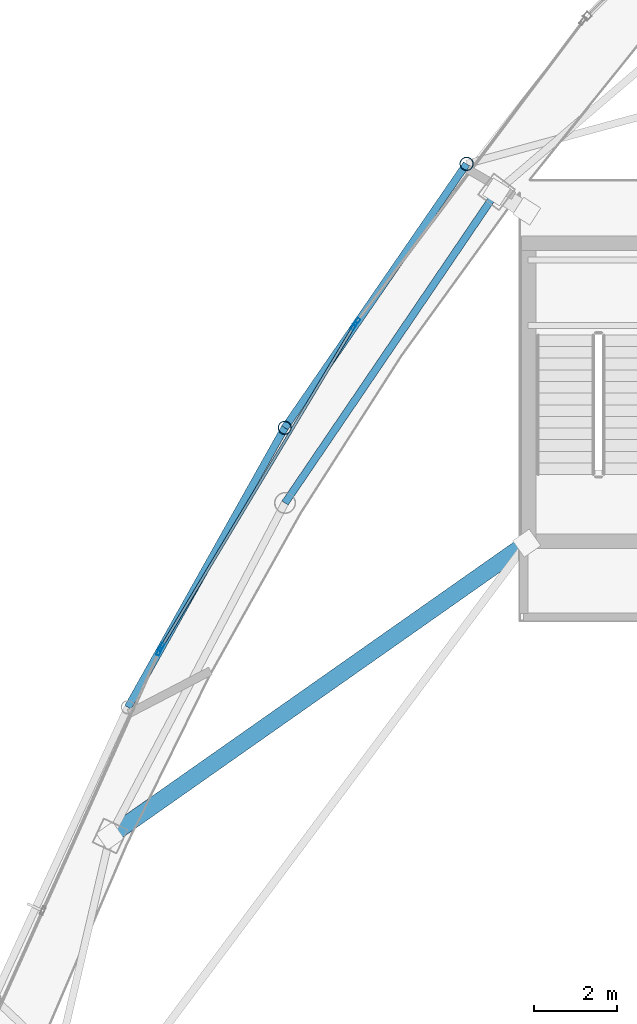
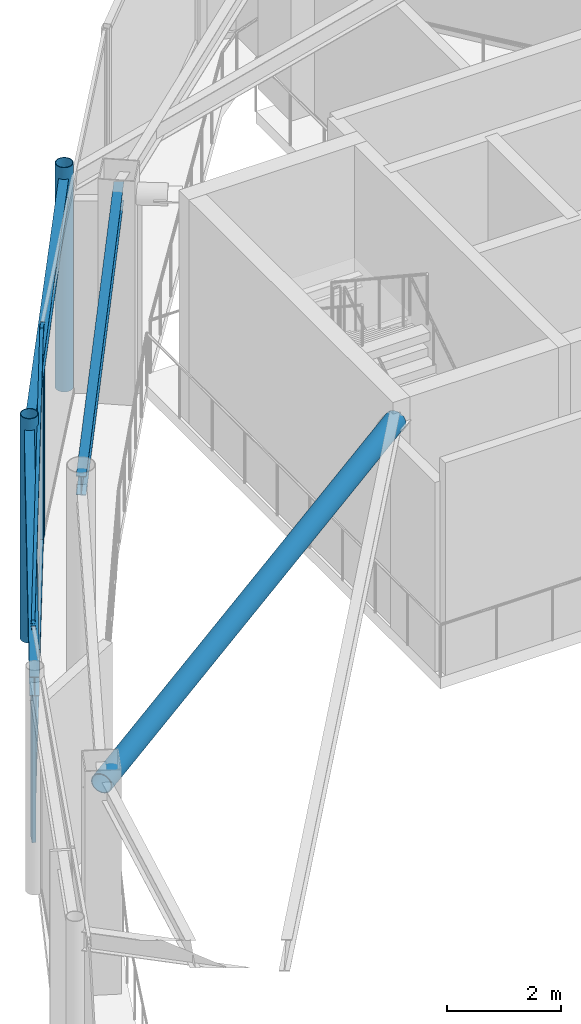
# One storey, part 8 of 20: 9 members, 3 beams, 3 elements without a shape of their own.
"""IFC4 building model written with IfcOpenShell, lengths in metres."""

from ifc_helpers import new_model, si_unit, direction, frame, origin, origin_2d, place, context, subcontext, project, spatial, hollow_rectangle, hollow_circle, i_section, extrude, material, layer, layer_set, material_profile, profile_set, type_object, element, aggregate, save


model = new_model("IFC4")

# Units and contexts
model_context = context("Model", 3, precision=1e-05, world=origin(), true_north=direction((0.0, 1.0)))
body_context = subcontext(model_context, "Body", "Model", "MODEL_VIEW")
ifc_project = project(units=[si_unit("LENGTHUNIT", "METRE"), si_unit("AREAUNIT", "SQUARE_METRE"), si_unit("VOLUMEUNIT", "CUBIC_METRE"), si_unit("PLANEANGLEUNIT", "RADIAN"), si_unit("MASSUNIT", "GRAM", prefix="KILO")], contexts=[model_context])

# Site, building, storey
site_placement = place(None, origin())
site = spatial("IfcSite", under=ifc_project, at=site_placement, CompositionType="ELEMENT")
building_placement = place(site_placement, origin())
building = spatial("IfcBuilding", under=site, at=building_placement, Name="Orvanel Arch Residences", CompositionType="ELEMENT")
storey_placement = place(building_placement, frame((0.0, 0.0, 305.300048828125)))
storey = spatial("IfcBuildingStorey", under=building, at=storey_placement, Name="L85", CompositionType="ELEMENT", Elevation=305.300048828125)

# Curtain wall, member
ifc_material_1 = material(Name="Bronze-anodised aluminium AA6063-T6", Category="aluminium")
ifc_layer = layer(ifc_material_1, 0.2099609375)
ifc_layer_set = layer_set([ifc_layer], Name="Bronze-anodised aluminium AA6063-T6")
curtain_wall_type = type_object("IfcCurtainWallType", Name="CW7-TOP-SYS", PredefinedType="NOTDEFINED", material=ifc_layer_set)
curtain_wall_1_placement = place(storey_placement, origin())
curtain_wall_1 = element("IfcCurtainWall", 1, at=curtain_wall_1_placement, inside=storey, type_object=curtain_wall_type, Name="L85 CW7-TOP-SYS Unitised Curtain Wall", PredefinedType="NOTDEFINED")
ifc_material_profile_1 = material_profile(ifc_material_1, hollow_rectangle(XDim=0.074951171875, YDim=0.199951171875, WallThickness=0.0048828125, at=origin_2d()), Name="ALU200x75x5")
ifc_profile_set_1 = profile_set([ifc_material_profile_1], Name="Bronze-anodised aluminium AA6063-T6")
member_type_1 = type_object("IfcMemberType", Name="MUL-200x75", PredefinedType="MULLION", material=ifc_profile_set_1)
member_1_placement = place(storey_placement, frame((22.29052734375, 31.988037109375, 0.0), z_axis=(0.0, 0.0, 1.0), x_axis=(0.799341985759, -0.600876351509, 0.0)))
member_1 = element("IfcMember", 2, at=member_1_placement, type_object=member_type_1, Name="CW-S7 mullion 2", PredefinedType="MULLION", context=body_context, shape_type="SweptSolid", body=[
    extrude(hollow_rectangle(XDim=0.074951171875, YDim=0.199951171875, WallThickness=0.0048828125, at=origin_2d()), origin(), (0.0, 0.0, 1.0), 4.550048828125),
])
aggregate(curtain_wall_1, [member_1])

# Curtain wall, members
curtain_wall_2_placement = place(storey_placement, origin())
curtain_wall_2 = element("IfcCurtainWall", 3, at=curtain_wall_2_placement, inside=storey, type_object=curtain_wall_type, Name="L85 CW7-TOP-SYS Unitised Curtain Wall", PredefinedType="NOTDEFINED")
member_2_placement = place(storey_placement, frame((22.226806640625, 31.892822265625, 0.0), z_axis=(0.0, 0.0, 1.0), x_axis=(0.857522096821, -0.514447133788, 0.0)))
member_2 = element("IfcMember", 4, at=member_2_placement, type_object=member_type_1, Name="CW-S7 mullion 1", PredefinedType="MULLION", context=body_context, shape_type="SweptSolid", body=[
    extrude(hollow_rectangle(XDim=0.074951171875, YDim=0.199951171875, WallThickness=0.0048828125, at=origin_2d()), origin(), (0.0, 0.0, 1.0), 4.550048828125),
])
member_3_placement = place(storey_placement, frame((17.597412109375, 24.17626953125, 0.0), z_axis=(0.0, 0.0, 1.0), x_axis=(0.857522096821, -0.514447133788, 0.0)))
member_3 = element("IfcMember", 5, at=member_3_placement, type_object=member_type_1, Name="CW-S7 mullion 2", PredefinedType="MULLION", context=body_context, shape_type="SweptSolid", body=[
    extrude(hollow_rectangle(XDim=0.074951171875, YDim=0.199951171875, WallThickness=0.0048828125, at=origin_2d()), origin(), (0.0, 0.0, 1.0), 4.550048828125),
])

# Curtain wall, member
curtain_wall_3_placement = place(storey_placement, origin())
curtain_wall_3 = element("IfcCurtainWall", 6, at=curtain_wall_3_placement, inside=storey, type_object=curtain_wall_type, Name="L85 CW7-TOP-SYS Unitised Curtain Wall", PredefinedType="NOTDEFINED")
member_4_placement = place(storey_placement, frame((17.544677734375, 24.07470703125, 0.0), z_axis=(0.0, 0.0, 1.0), x_axis=(0.912376147447, -0.40935286193, 0.0)))
member_4 = element("IfcMember", 7, at=member_4_placement, type_object=member_type_1, Name="CW-S7 mullion 1", PredefinedType="MULLION", context=body_context, shape_type="SweptSolid", body=[
    extrude(hollow_rectangle(XDim=0.074951171875, YDim=0.199951171875, WallThickness=0.0048828125, at=origin_2d()), origin(), (0.0, 0.0, 1.0), 4.550048828125),
])
aggregate(curtain_wall_3, [member_4])

# Beams
ifc_material_2 = material(Name="Structural steel AS/NZS 3679.1 Grade 300 (300 MPa)", Category="steel")
ifc_material_profile_2 = material_profile(ifc_material_2, i_section(OverallWidth=0.177978515625, OverallDepth=0.406005859375, WebThickness=0.0078125, FlangeThickness=0.0126953125, at=origin_2d()), Name="410UB59.7")
ifc_profile_set_2 = profile_set([ifc_material_profile_2], Name="Structural steel AS/NZS 3679.1 Grade 300 (300 MPa)")
beam_type_1 = type_object("IfcBeamType", Name="OB-410UB", PredefinedType="SPANDREL", material=ifc_profile_set_2)
beam_1_placement = place(storey_placement, frame((25.64794921875, 35.113037109375, 4.346923828125), z_axis=(-0.562154793153, -0.827032035978, 0.0), x_axis=(0.827032035978, -0.562154793153, 0.0)))
element("IfcBeam", 8, at=beam_1_placement, inside=storey, type_object=beam_type_1, Name="L85 Perimeter Spandrel Beam 11", PredefinedType="SPANDREL", context=body_context, shape_type="SweptSolid", body=[
    extrude(i_section(OverallWidth=0.177978515625, OverallDepth=0.406005859375, WebThickness=0.0078125, FlangeThickness=0.0126953125, at=origin_2d()), origin(), (0.0, 0.0, 1.0), 9.03466796875),
])
ifc_material_profile_3 = material_profile(ifc_material_2, i_section(OverallWidth=0.177978515625, OverallDepth=0.406005859375, WebThickness=0.0078125, FlangeThickness=0.0126953125, at=origin_2d()), Name="410UB59.7")
ifc_profile_set_3 = profile_set([ifc_material_profile_3], Name="Structural steel AS/NZS 3679.1 Grade 300 (300 MPa)")
beam_type_2 = type_object("IfcBeamType", Name="OB-410UB-EXT", PredefinedType="SPANDREL", material=ifc_profile_set_3)
beam_2_placement = place(storey_placement, frame((24.929931640625, 35.785888671875, 4.346923828125), z_axis=(-0.567346812798, -0.823478957842, 0.0), x_axis=(0.823478957842, -0.567346812798, 0.0)))
element("IfcBeam", 9, at=beam_2_placement, inside=storey, type_object=beam_type_2, Name="L85 Outer Perimeter Floor Ring Beam 01", PredefinedType="SPANDREL", context=body_context, shape_type="SweptSolid", body=[
    extrude(i_section(OverallWidth=0.177978515625, OverallDepth=0.406005859375, WebThickness=0.0078125, FlangeThickness=0.0126953125, at=origin_2d()), origin(), (0.0, 0.0, 1.0), 7.698974609375),
])
beam_3_placement = place(storey_placement, frame((20.56201171875, 29.446044921875, 4.346923828125), z_axis=(-0.489422203707, -0.872046963482, 0.0), x_axis=(0.872046963482, -0.489422203707, 0.0)))
element("IfcBeam", 10, at=beam_3_placement, inside=storey, type_object=beam_type_2, Name="L85 Outer Perimeter Floor Ring Beam 02", PredefinedType="SPANDREL", context=body_context, shape_type="SweptSolid", body=[
    extrude(i_section(OverallWidth=0.177978515625, OverallDepth=0.406005859375, WebThickness=0.0078125, FlangeThickness=0.0126953125, at=origin_2d()), origin(), (0.0, 0.0, 1.0), 7.697021484375),
])

# Members
ifc_material_3 = material(Name="Structural steel AS/NZS 1163 C350L0 (Grade 350)", Category="steel")
ifc_material_profile_4 = material_profile(ifc_material_3, hollow_circle(Radius=0.202880859375, WallThickness=0.01611328125, at=origin_2d()), Name="CHS406x16")
ifc_profile_set_4 = profile_set([ifc_material_profile_4], Name="Structural steel AS/NZS 1163 C350L0 (Grade 350)")
member_type_2 = type_object("IfcMemberType", Name="RF-406CHS", PredefinedType="RAFTER", material=ifc_profile_set_4)
member_5_placement = place(storey_placement, frame((26.375, 26.675048828125, 4.300048828125), z_axis=(-0.818181292645, -0.574960322427, 0.0), x_axis=(0.574960322427, -0.818181292645, 0.0)))
element("IfcMember", 11, at=member_5_placement, inside=storey, type_object=member_type_2, Name="L85 Winter-Garden Conservatory Gallery Rafter 01", PredefinedType="RAFTER", context=body_context, shape_type="SweptSolid", body=[
    extrude(hollow_circle(Radius=0.202880859375, WallThickness=0.01611328125, at=origin_2d()), origin(), (0.0, 0.0, 1.0), 12.232177734375),
])
ifc_material_profile_5 = material_profile(ifc_material_3, hollow_circle(Radius=0.162109375, WallThickness=0.0126953125, at=origin_2d()), Name="CHS324x12.7")
ifc_profile_set_5 = profile_set([ifc_material_profile_5], Name="Structural steel AS/NZS 1163 C350L0 (Grade 350)")
member_type_3 = type_object("IfcMemberType", Name="ST-324CHS-EXT", PredefinedType="STRUT", material=ifc_profile_set_5)
for number, where, z_axis, x_axis, name in (
    (12, (24.929931640625, 35.785888671875, 0.0), (0.0, 0.0, 1.0), (1.0, 0.0, 0.0), "L85 Outer Perimeter Frame Post 01"),
    (13, (20.56201171875, 29.446044921875, 0.0), (0.0, 0.0, 1.0), (1.0, 0.0, 0.0), "L85 Outer Perimeter Frame Post 02"),
):
    element("IfcMember", number, at=place(storey_placement, frame(where, z_axis=z_axis, x_axis=x_axis)), inside=storey, type_object=member_type_3, Name=name, PredefinedType="STRUT", context=body_context, shape_type="SweptSolid", body=[
        extrude(hollow_circle(Radius=0.162109375, WallThickness=0.0126953125, at=origin_2d()), origin(), (0.0, 0.0, 1.0), 4.800048828125),
    ])

# Member
ifc_material_profile_6 = material_profile(ifc_material_1, hollow_rectangle(XDim=0.06494140625, YDim=0.14990234375, WallThickness=0.00390625, at=origin_2d()), Name="ALU150x65x4")
ifc_profile_set_6 = profile_set([ifc_material_profile_6], Name="Bronze-anodised aluminium AA6063-T6")
member_type_4 = type_object("IfcMemberType", Name="TRN-150x65", PredefinedType="USERDEFINED", material=ifc_profile_set_6)
member_6_placement = place(storey_placement, frame((22.20751953125, 31.860595703125, 0.032470703125), z_axis=(-0.514447475071, -0.857521892078, 0.0), x_axis=(0.857521892078, -0.514447475071, 0.0)))
member_6 = element("IfcMember", 14, at=member_6_placement, type_object=member_type_4, Name="CW-S7 transom 1.1", ObjectType="TRANSOM", PredefinedType="USERDEFINED", context=body_context, shape_type="SweptSolid", body=[
    extrude(hollow_rectangle(XDim=0.06494140625, YDim=0.14990234375, WallThickness=0.00390625, at=origin_2d()), origin(), (0.0, 0.0, 1.0), 8.923828125),
])

member_7_placement = place(storey_placement, frame((22.20751953125, 31.860595703125, 4.517333984375), z_axis=(-0.514447475071, -0.857521892078, 0.0), x_axis=(0.857521892078, -0.514447475071, 0.0)))
member_7 = element("IfcMember", 15, at=member_7_placement, type_object=member_type_4, Name="CW-S7 transom 1.2", ObjectType="TRANSOM", PredefinedType="USERDEFINED", context=body_context, shape_type="SweptSolid", body=[
    extrude(hollow_rectangle(XDim=0.06494140625, YDim=0.14990234375, WallThickness=0.00390625, at=origin_2d()), origin(), (0.0, 0.0, 1.0), 8.923828125),
])

aggregate(curtain_wall_2, [member_2, member_3, member_6, member_7])

save(model, "model.ifc")
